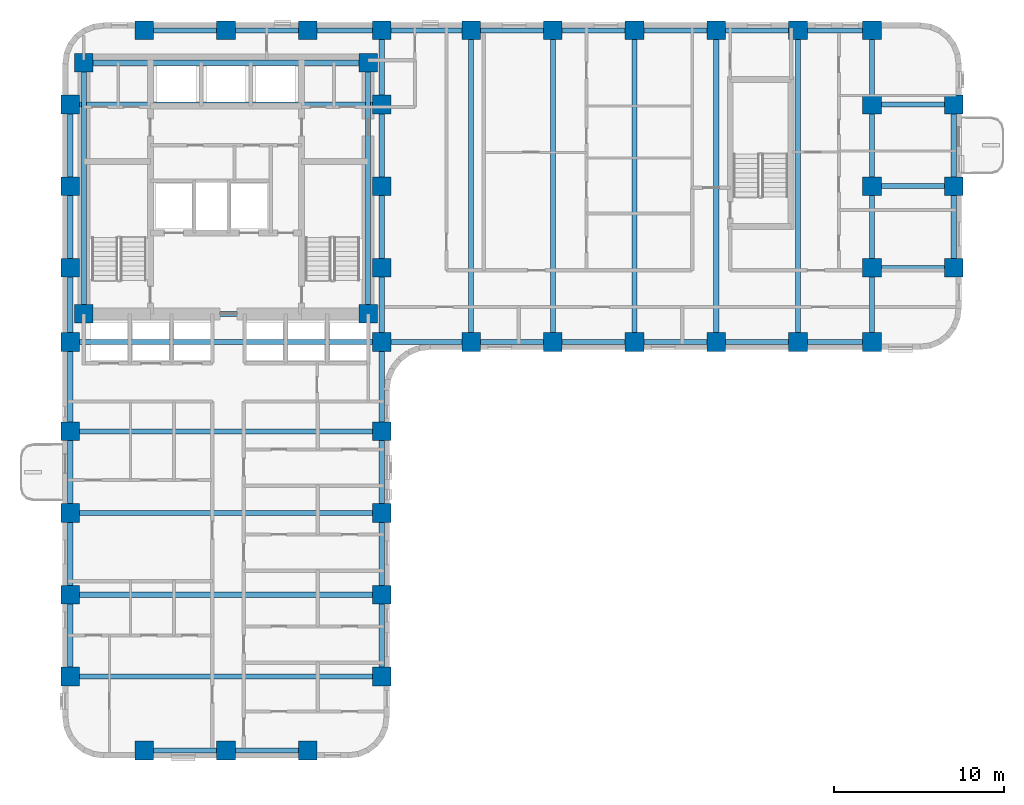
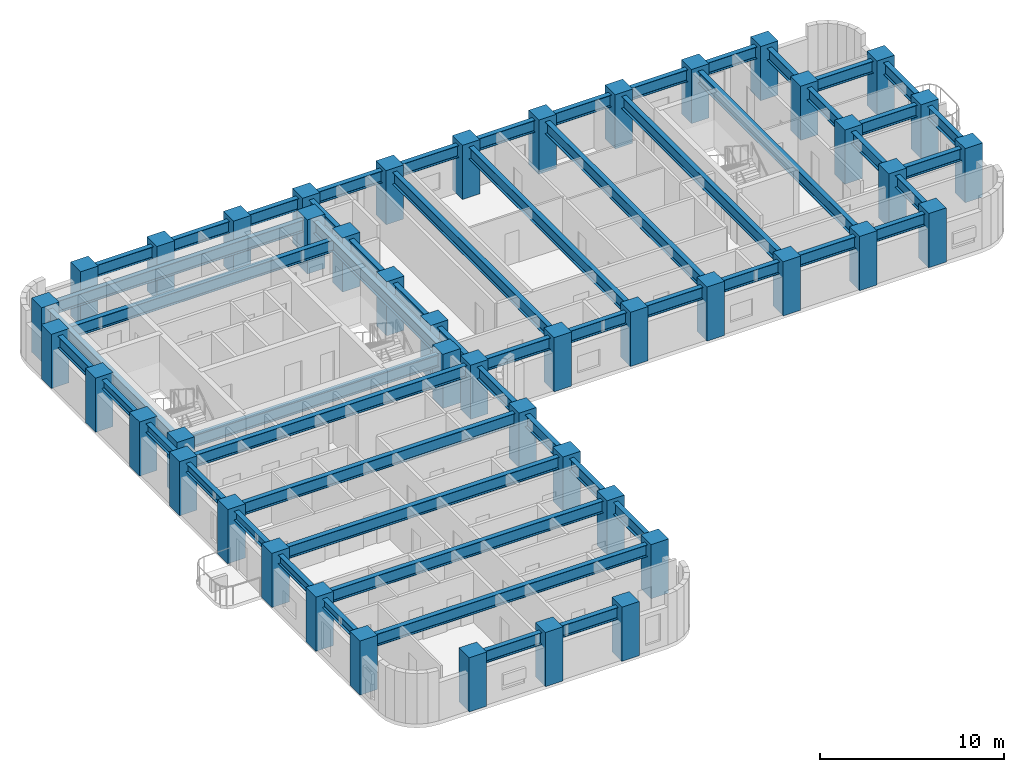
# One storey, part 1 of 11: 56 beams, 45 columns.
"""IFC4 building model written with IfcOpenShell, lengths in metres."""

from ifc_helpers import new_model, si_unit, direction, frame, origin, origin_2d, place, context, subcontext, project, spatial, rectangle, i_section, extrude, material, material_profile, profile_set, type_object, element, save


model = new_model("IFC4")

# Units and contexts
model_context = context("Model", 3, precision=1e-05, world=origin(), true_north=direction((0.0, 1.0)))
body_context = subcontext(model_context, "Body", "Model", "MODEL_VIEW")
ifc_project = project(units=[si_unit("LENGTHUNIT", "METRE"), si_unit("AREAUNIT", "SQUARE_METRE"), si_unit("VOLUMEUNIT", "CUBIC_METRE"), si_unit("PLANEANGLEUNIT", "RADIAN"), si_unit("MASSUNIT", "GRAM", prefix="KILO")], contexts=[model_context])

# Site, building, storey
site_placement = place(None, origin())
site = spatial("IfcSite", under=ifc_project, at=site_placement, CompositionType="ELEMENT")
building_placement = place(site_placement, origin())
building = spatial("IfcBuilding", under=site, at=building_placement, Name="Orvandelia Arch Residences", CompositionType="ELEMENT")
storey_placement = place(building_placement, frame((0.0, 0.0, 61.0)))
storey = spatial("IfcBuildingStorey", under=building, at=storey_placement, Name="L15", CompositionType="ELEMENT", Elevation=61.0)

# Columns
ifc_material_1 = material(Name="Concrete C80/95", Category="concrete")
ifc_material_profile_1 = material_profile(ifc_material_1, rectangle(XDim=1.10009765625, YDim=1.10009765625, at=origin_2d()), Name="Concrete C80/95", Category="concrete")
ifc_profile_set_1 = profile_set([ifc_material_profile_1], Name="Concrete C80/95")
column_type = type_object("IfcColumnType", Name="COL-TWR-1100", PredefinedType="COLUMN", material=ifc_profile_set_1)
for number, where, z_axis, x_axis, name in (
    (1, (5.25, 9.60009765625, 0.0), (0.0, 0.0, 1.0), (1.0, 0.0, 0.0), "Structural Column L15-W-W-96"),
    (2, (5.25, 14.39990234375, 0.0), (0.0, 0.0, 1.0), (1.0, 0.0, 0.0), "Structural Column L15-W-W-144"),
    (3, (5.25, 19.199951171875, 0.0), (0.0, 0.0, 1.0), (1.0, 0.0, 0.0), "Structural Column L15-W-W-192"),
    (4, (5.25, 24.0, 0.0), (0.0, 0.0, 1.0), (1.0, 0.0, 0.0), "Structural Column L15-W-W-240"),
    (5, (5.25, 29.25, 0.0), (0.0, 0.0, 1.0), (1.0, 0.0, 0.0), "Structural Column L15-W-W-292"),
    (6, (5.25, 33.60009765625, 0.0), (0.0, 0.0, 1.0), (1.0, 0.0, 0.0), "Structural Column L15-W-W-336"),
    (7, (5.25, 38.39990234375, 0.0), (0.0, 0.0, 1.0), (1.0, 0.0, 0.0), "Structural Column L15-W-W-384"),
    (8, (5.25, 43.199951171875, 0.0), (0.0, 0.0, 1.0), (1.0, 0.0, 0.0), "Structural Column L15-W-W-432"),
    (9, (6.050048828125, 30.89990234375, 0.0), (0.0, 0.0, 1.0), (1.0, 0.0, 0.0), "Structural Column L15-CR-SW"),
    (10, (6.050048828125, 45.64990234375, 0.0), (0.0, 0.0, 1.0), (1.0, 0.0, 0.0), "Structural Column L15-CR-NW"),
    (11, (9.60009765625, 5.25, 0.0), (0.0, 0.0, 1.0), (1.0, 0.0, 0.0), "Structural Column L15-W-S-96"),
    (12, (9.60009765625, 47.550048828125, 0.0), (0.0, 0.0, 1.0), (1.0, 0.0, 0.0), "Structural Column L15-W-N-96"),
    (13, (14.39990234375, 5.25, 0.0), (0.0, 0.0, 1.0), (1.0, 0.0, 0.0), "Structural Column L15-W-S-144"),
    (14, (14.39990234375, 47.550048828125, 0.0), (0.0, 0.0, 1.0), (1.0, 0.0, 0.0), "Structural Column L15-W-N-144"),
    (15, (19.199951171875, 5.25, 0.0), (0.0, 0.0, 1.0), (1.0, 0.0, 0.0), "Structural Column L15-W-S-192"),
    (16, (19.199951171875, 47.550048828125, 0.0), (0.0, 0.0, 1.0), (1.0, 0.0, 0.0), "Structural Column L15-W-N-192"),
    (17, (22.75, 30.89990234375, 0.0), (0.0, 0.0, 1.0), (1.0, 0.0, 0.0), "Structural Column L15-CR-SE"),
    (18, (22.75, 45.64990234375, 0.0), (0.0, 0.0, 1.0), (1.0, 0.0, 0.0), "Structural Column L15-CR-NE"),
    (19, (23.550048828125, 9.60009765625, 0.0), (0.0, 0.0, 1.0), (1.0, 0.0, 0.0), "Structural Column L15-W-E-96"),
    (20, (23.550048828125, 14.39990234375, 0.0), (0.0, 0.0, 1.0), (1.0, 0.0, 0.0), "Structural Column L15-W-E-144"),
    (21, (23.550048828125, 19.199951171875, 0.0), (0.0, 0.0, 1.0), (1.0, 0.0, 0.0), "Structural Column L15-W-E-192"),
    (22, (23.550048828125, 24.0, 0.0), (0.0, 0.0, 1.0), (1.0, 0.0, 0.0), "Structural Column L15-W-E-240"),
    (23, (23.550048828125, 29.25, 0.0), (0.0, 0.0, 1.0), (1.0, 0.0, 0.0), "Structural Column L15-W-E-292"),
    (24, (23.550048828125, 33.60009765625, 0.0), (0.0, 0.0, 1.0), (1.0, 0.0, 0.0), "Structural Column L15-W-E-336"),
    (25, (23.550048828125, 38.39990234375, 0.0), (0.0, 0.0, 1.0), (1.0, 0.0, 0.0), "Structural Column L15-W-E-384"),
    (26, (23.550048828125, 43.199951171875, 0.0), (0.0, 0.0, 1.0), (1.0, 0.0, 0.0), "Structural Column L15-W-E-432"),
    (27, (23.550048828125, 47.550048828125, 0.0), (0.0, 0.0, 1.0), (1.0, 0.0, 0.0), "Structural Column L15-W-N-235"),
    (28, (28.800048828125, 29.25, 0.0), (0.0, 0.0, 1.0), (1.0, 0.0, 0.0), "Structural Column L15-E-S-288"),
    (29, (28.800048828125, 47.550048828125, 0.0), (0.0, 0.0, 1.0), (1.0, 0.0, 0.0), "Structural Column L15-E-N-288"),
    (30, (33.60009765625, 29.25, 0.0), (0.0, 0.0, 1.0), (1.0, 0.0, 0.0), "Structural Column L15-E-S-336"),
    (31, (33.60009765625, 47.550048828125, 0.0), (0.0, 0.0, 1.0), (1.0, 0.0, 0.0), "Structural Column L15-E-N-336"),
    (32, (38.39990234375, 29.25, 0.0), (0.0, 0.0, 1.0), (1.0, 0.0, 0.0), "Structural Column L15-E-S-384"),
    (33, (38.39990234375, 47.550048828125, 0.0), (0.0, 0.0, 1.0), (1.0, 0.0, 0.0), "Structural Column L15-E-N-384"),
    (34, (43.199951171875, 29.25, 0.0), (0.0, 0.0, 1.0), (1.0, 0.0, 0.0), "Structural Column L15-E-S-432"),
    (35, (43.199951171875, 47.550048828125, 0.0), (0.0, 0.0, 1.0), (1.0, 0.0, 0.0), "Structural Column L15-E-N-432"),
    (36, (48.0, 29.25, 0.0), (0.0, 0.0, 1.0), (1.0, 0.0, 0.0), "Structural Column L15-E-S-480"),
    (37, (48.0, 47.550048828125, 0.0), (0.0, 0.0, 1.0), (1.0, 0.0, 0.0), "Structural Column L15-E-N-480"),
    (38, (52.35009765625, 29.25, 0.0), (0.0, 0.0, 1.0), (1.0, 0.0, 0.0), "Structural Column L15-E-S-523"),
    (39, (52.35009765625, 33.60009765625, 0.0), (0.0, 0.0, 1.0), (1.0, 0.0, 0.0), "Structural Column L15-E-523-336"),
    (40, (52.35009765625, 38.39990234375, 0.0), (0.0, 0.0, 1.0), (1.0, 0.0, 0.0), "Structural Column L15-E-523-384"),
    (41, (52.35009765625, 43.199951171875, 0.0), (0.0, 0.0, 1.0), (1.0, 0.0, 0.0), "Structural Column L15-E-523-432"),
    (42, (52.35009765625, 47.550048828125, 0.0), (0.0, 0.0, 1.0), (1.0, 0.0, 0.0), "Structural Column L15-E-N-523"),
    (43, (57.14990234375, 33.60009765625, 0.0), (0.0, 0.0, 1.0), (1.0, 0.0, 0.0), "Structural Column L15-E-571-336"),
    (44, (57.14990234375, 38.39990234375, 0.0), (0.0, 0.0, 1.0), (1.0, 0.0, 0.0), "Structural Column L15-E-571-384"),
    (45, (57.14990234375, 43.199951171875, 0.0), (0.0, 0.0, 1.0), (1.0, 0.0, 0.0), "Structural Column L15-E-571-432"),
):
    element("IfcColumn", number, at=place(storey_placement, frame(where, z_axis=z_axis, x_axis=x_axis)), inside=storey, type_object=column_type, Name=name, PredefinedType="COLUMN", context=body_context, shape_type="SweptSolid", body=[
        extrude(rectangle(XDim=1.10009765625, YDim=1.10009765625, at=origin_2d()), origin(), (0.0, 0.0, 1.0), 3.60009765625),
    ])

# Beams
ifc_material_2 = material(Name="Structural Steel SM355 (355 MPa)", Category="steel")
ifc_material_profile_2 = material_profile(ifc_material_2, i_section(OverallWidth=0.300048828125, OverallDepth=0.800048828125, WebThickness=0.013916015625, FlangeThickness=0.02587890625, FilletRadius=0.02587890625, at=origin_2d()), Name="Structural Steel SM355 (355 MPa)", Category="steel")
ifc_profile_set_2 = profile_set([ifc_material_profile_2], Name="Structural Steel SM355 (355 MPa)")
beam_type_1 = type_object("IfcBeamType", Name="BM-GRD-H800", PredefinedType="BEAM", material=ifc_profile_set_2)
beam_1_placement = place(storey_placement, frame((5.25, 38.39990234375, 2.949951171875), z_axis=(0.0, 1.0, 0.0), x_axis=(-1.0, 0.0, 0.0)))
element("IfcBeam", 46, at=beam_1_placement, inside=storey, type_object=beam_type_1, Name="Structural Frame Beam L15-NS-007", PredefinedType="BEAM", context=body_context, shape_type="SweptSolid", body=[
    extrude(i_section(OverallWidth=0.300048828125, OverallDepth=0.800048828125, WebThickness=0.013916015625, FlangeThickness=0.02587890625, FilletRadius=0.02587890625, at=origin_2d()), origin(), (0.0, 0.0, 1.0), 4.800048828125),
])
for number, where, z_axis, x_axis, name in (
    (47, (6.050048828125, 30.89990234375, 2.949951171875), (0.0, 1.0, 0.0), (-1.0, 0.0, 0.0), "Structural Frame Beam L15-NS-008"),
    (48, (22.75, 30.89990234375, 2.949951171875), (0.0, 1.0, 0.0), (-1.0, 0.0, 0.0), "Structural Frame Beam L15-NS-009"),
):
    element("IfcBeam", number, at=place(storey_placement, frame(where, z_axis=z_axis, x_axis=x_axis)), inside=storey, type_object=beam_type_1, Name=name, PredefinedType="BEAM", context=body_context, shape_type="SweptSolid", body=[
        extrude(i_section(OverallWidth=0.300048828125, OverallDepth=0.800048828125, WebThickness=0.013916015625, FlangeThickness=0.02587890625, FilletRadius=0.02587890625, at=origin_2d()), origin(), (0.0, 0.0, 1.0), 14.75),
    ])
beam_2_placement = place(storey_placement, frame((23.550048828125, 9.60009765625, 2.949951171875), z_axis=(0.0, 1.0, 0.0), x_axis=(-1.0, 0.0, 0.0)))
element("IfcBeam", 49, at=beam_2_placement, inside=storey, type_object=beam_type_1, Name="Structural Frame Beam L15-NS-010", PredefinedType="BEAM", context=body_context, shape_type="SweptSolid", body=[
    extrude(i_section(OverallWidth=0.300048828125, OverallDepth=0.800048828125, WebThickness=0.013916015625, FlangeThickness=0.02587890625, FilletRadius=0.02587890625, at=origin_2d()), origin(), (0.0, 0.0, 1.0), 4.7998046875),
])
for number, where, z_axis, x_axis, name in (
    (50, (23.550048828125, 14.39990234375, 2.949951171875), (0.0, 1.0, 0.0), (-1.0, 0.0, 0.0), "Structural Frame Beam L15-NS-011"),
    (51, (23.550048828125, 19.199951171875, 2.949951171875), (0.0, 1.0, 0.0), (-1.0, 0.0, 0.0), "Structural Frame Beam L15-NS-012"),
):
    element("IfcBeam", number, at=place(storey_placement, frame(where, z_axis=z_axis, x_axis=x_axis)), inside=storey, type_object=beam_type_1, Name=name, PredefinedType="BEAM", context=body_context, shape_type="SweptSolid", body=[
        extrude(i_section(OverallWidth=0.300048828125, OverallDepth=0.800048828125, WebThickness=0.013916015625, FlangeThickness=0.02587890625, FilletRadius=0.02587890625, at=origin_2d()), origin(), (0.0, 0.0, 1.0), 4.800048828125),
    ])
beam_3_placement = place(storey_placement, frame((23.550048828125, 24.0, 2.949951171875), z_axis=(0.0, 1.0, 0.0), x_axis=(-1.0, 0.0, 0.0)))
element("IfcBeam", 52, at=beam_3_placement, inside=storey, type_object=beam_type_1, Name="Structural Frame Beam L15-NS-013", PredefinedType="BEAM", context=body_context, shape_type="SweptSolid", body=[
    extrude(i_section(OverallWidth=0.300048828125, OverallDepth=0.800048828125, WebThickness=0.013916015625, FlangeThickness=0.02587890625, FilletRadius=0.02587890625, at=origin_2d()), origin(), (0.0, 0.0, 1.0), 5.25),
])
beam_4_placement = place(storey_placement, frame((23.550048828125, 29.25, 2.949951171875), z_axis=(0.0, 1.0, 0.0), x_axis=(-1.0, 0.0, 0.0)))
element("IfcBeam", 53, at=beam_4_placement, inside=storey, type_object=beam_type_1, Name="Structural Frame Beam L15-NS-014", PredefinedType="BEAM", context=body_context, shape_type="SweptSolid", body=[
    extrude(i_section(OverallWidth=0.300048828125, OverallDepth=0.800048828125, WebThickness=0.013916015625, FlangeThickness=0.02587890625, FilletRadius=0.02587890625, at=origin_2d()), origin(), (0.0, 0.0, 1.0), 4.35009765625),
])
beam_5_placement = place(storey_placement, frame((23.550048828125, 33.60009765625, 2.949951171875), z_axis=(0.0, 1.0, 0.0), x_axis=(-1.0, 0.0, 0.0)))
element("IfcBeam", 54, at=beam_5_placement, inside=storey, type_object=beam_type_1, Name="Structural Frame Beam L15-NS-015", PredefinedType="BEAM", context=body_context, shape_type="SweptSolid", body=[
    extrude(i_section(OverallWidth=0.300048828125, OverallDepth=0.800048828125, WebThickness=0.013916015625, FlangeThickness=0.02587890625, FilletRadius=0.02587890625, at=origin_2d()), origin(), (0.0, 0.0, 1.0), 4.7998046875),
])
beam_6_placement = place(storey_placement, frame((23.550048828125, 38.39990234375, 2.949951171875), z_axis=(0.0, 1.0, 0.0), x_axis=(-1.0, 0.0, 0.0)))
element("IfcBeam", 55, at=beam_6_placement, inside=storey, type_object=beam_type_1, Name="Structural Frame Beam L15-NS-016", PredefinedType="BEAM", context=body_context, shape_type="SweptSolid", body=[
    extrude(i_section(OverallWidth=0.300048828125, OverallDepth=0.800048828125, WebThickness=0.013916015625, FlangeThickness=0.02587890625, FilletRadius=0.02587890625, at=origin_2d()), origin(), (0.0, 0.0, 1.0), 4.800048828125),
])
beam_7_placement = place(storey_placement, frame((23.550048828125, 43.199951171875, 2.949951171875), z_axis=(0.0, 1.0, 0.0), x_axis=(-1.0, 0.0, 0.0)))
element("IfcBeam", 56, at=beam_7_placement, inside=storey, type_object=beam_type_1, Name="Structural Frame Beam L15-NS-017", PredefinedType="BEAM", context=body_context, shape_type="SweptSolid", body=[
    extrude(i_section(OverallWidth=0.300048828125, OverallDepth=0.800048828125, WebThickness=0.013916015625, FlangeThickness=0.02587890625, FilletRadius=0.02587890625, at=origin_2d()), origin(), (0.0, 0.0, 1.0), 4.35009765625),
])
for number, where, z_axis, x_axis, name in (
    (57, (28.800048828125, 29.25, 2.949951171875), (0.0, 1.0, 0.0), (-1.0, 0.0, 0.0), "Structural Frame Beam L15-NS-018"),
    (58, (33.60009765625, 29.25, 2.949951171875), (0.0, 1.0, 0.0), (-1.0, 0.0, 0.0), "Structural Frame Beam L15-NS-019"),
    (59, (38.39990234375, 29.25, 2.949951171875), (0.0, 1.0, 0.0), (-1.0, 0.0, 0.0), "Structural Frame Beam L15-NS-020"),
    (60, (43.199951171875, 29.25, 2.949951171875), (0.0, 1.0, 0.0), (-1.0, 0.0, 0.0), "Structural Frame Beam L15-NS-021"),
    (61, (48.0, 29.25, 2.949951171875), (0.0, 1.0, 0.0), (-1.0, 0.0, 0.0), "Structural Frame Beam L15-NS-022"),
):
    element("IfcBeam", number, at=place(storey_placement, frame(where, z_axis=z_axis, x_axis=x_axis)), inside=storey, type_object=beam_type_1, Name=name, PredefinedType="BEAM", context=body_context, shape_type="SweptSolid", body=[
        extrude(i_section(OverallWidth=0.300048828125, OverallDepth=0.800048828125, WebThickness=0.013916015625, FlangeThickness=0.02587890625, FilletRadius=0.02587890625, at=origin_2d()), origin(), (0.0, 0.0, 1.0), 18.300048828125),
    ])
beam_8_placement = place(storey_placement, frame((52.35009765625, 29.25, 2.949951171875), z_axis=(0.0, 1.0, 0.0), x_axis=(-1.0, 0.0, 0.0)))
element("IfcBeam", 62, at=beam_8_placement, inside=storey, type_object=beam_type_1, Name="Structural Frame Beam L15-NS-023", PredefinedType="BEAM", context=body_context, shape_type="SweptSolid", body=[
    extrude(i_section(OverallWidth=0.300048828125, OverallDepth=0.800048828125, WebThickness=0.013916015625, FlangeThickness=0.02587890625, FilletRadius=0.02587890625, at=origin_2d()), origin(), (0.0, 0.0, 1.0), 4.35009765625),
])
beam_9_placement = place(storey_placement, frame((52.35009765625, 33.60009765625, 2.949951171875), z_axis=(0.0, 1.0, 0.0), x_axis=(-1.0, 0.0, 0.0)))
element("IfcBeam", 63, at=beam_9_placement, inside=storey, type_object=beam_type_1, Name="Structural Frame Beam L15-NS-024", PredefinedType="BEAM", context=body_context, shape_type="SweptSolid", body=[
    extrude(i_section(OverallWidth=0.300048828125, OverallDepth=0.800048828125, WebThickness=0.013916015625, FlangeThickness=0.02587890625, FilletRadius=0.02587890625, at=origin_2d()), origin(), (0.0, 0.0, 1.0), 4.7998046875),
])
beam_10_placement = place(storey_placement, frame((52.35009765625, 38.39990234375, 2.949951171875), z_axis=(0.0, 1.0, 0.0), x_axis=(-1.0, 0.0, 0.0)))
element("IfcBeam", 64, at=beam_10_placement, inside=storey, type_object=beam_type_1, Name="Structural Frame Beam L15-NS-025", PredefinedType="BEAM", context=body_context, shape_type="SweptSolid", body=[
    extrude(i_section(OverallWidth=0.300048828125, OverallDepth=0.800048828125, WebThickness=0.013916015625, FlangeThickness=0.02587890625, FilletRadius=0.02587890625, at=origin_2d()), origin(), (0.0, 0.0, 1.0), 4.800048828125),
])
beam_11_placement = place(storey_placement, frame((52.35009765625, 43.199951171875, 2.949951171875), z_axis=(0.0, 1.0, 0.0), x_axis=(-1.0, 0.0, 0.0)))
element("IfcBeam", 65, at=beam_11_placement, inside=storey, type_object=beam_type_1, Name="Structural Frame Beam L15-NS-026", PredefinedType="BEAM", context=body_context, shape_type="SweptSolid", body=[
    extrude(i_section(OverallWidth=0.300048828125, OverallDepth=0.800048828125, WebThickness=0.013916015625, FlangeThickness=0.02587890625, FilletRadius=0.02587890625, at=origin_2d()), origin(), (0.0, 0.0, 1.0), 4.35009765625),
])
beam_12_placement = place(storey_placement, frame((57.14990234375, 33.60009765625, 2.949951171875), z_axis=(0.0, 1.0, 0.0), x_axis=(-1.0, 0.0, 0.0)))
element("IfcBeam", 66, at=beam_12_placement, inside=storey, type_object=beam_type_1, Name="Structural Frame Beam L15-NS-027", PredefinedType="BEAM", context=body_context, shape_type="SweptSolid", body=[
    extrude(i_section(OverallWidth=0.300048828125, OverallDepth=0.800048828125, WebThickness=0.013916015625, FlangeThickness=0.02587890625, FilletRadius=0.02587890625, at=origin_2d()), origin(), (0.0, 0.0, 1.0), 4.7998046875),
])
beam_13_placement = place(storey_placement, frame((57.14990234375, 38.39990234375, 2.949951171875), z_axis=(0.0, 1.0, 0.0), x_axis=(-1.0, 0.0, 0.0)))
element("IfcBeam", 67, at=beam_13_placement, inside=storey, type_object=beam_type_1, Name="Structural Frame Beam L15-NS-028", PredefinedType="BEAM", context=body_context, shape_type="SweptSolid", body=[
    extrude(i_section(OverallWidth=0.300048828125, OverallDepth=0.800048828125, WebThickness=0.013916015625, FlangeThickness=0.02587890625, FilletRadius=0.02587890625, at=origin_2d()), origin(), (0.0, 0.0, 1.0), 4.800048828125),
])
beam_14_placement = place(storey_placement, frame((9.60009765625, 5.25, 2.949951171875), z_axis=(1.0, 0.0, 0.0), x_axis=(0.0, 1.0, 0.0)))
element("IfcBeam", 68, at=beam_14_placement, inside=storey, type_object=beam_type_1, Name="Structural Frame Girder L15-EW-029", PredefinedType="BEAM", context=body_context, shape_type="SweptSolid", body=[
    extrude(i_section(OverallWidth=0.300048828125, OverallDepth=0.800048828125, WebThickness=0.013916015625, FlangeThickness=0.02587890625, FilletRadius=0.02587890625, at=origin_2d()), origin(), (0.0, 0.0, 1.0), 4.7998046875),
])
beam_15_placement = place(storey_placement, frame((14.39990234375, 5.25, 2.949951171875), z_axis=(1.0, 0.0, 0.0), x_axis=(0.0, 1.0, 0.0)))
element("IfcBeam", 69, at=beam_15_placement, inside=storey, type_object=beam_type_1, Name="Structural Frame Girder L15-EW-030", PredefinedType="BEAM", context=body_context, shape_type="SweptSolid", body=[
    extrude(i_section(OverallWidth=0.300048828125, OverallDepth=0.800048828125, WebThickness=0.013916015625, FlangeThickness=0.02587890625, FilletRadius=0.02587890625, at=origin_2d()), origin(), (0.0, 0.0, 1.0), 4.800048828125),
])
for number, where, z_axis, x_axis, name in (
    (70, (5.25, 9.60009765625, 2.949951171875), (1.0, 0.0, 0.0), (0.0, 1.0, 0.0), "Structural Frame Girder L15-EW-031"),
    (71, (5.25, 14.39990234375, 2.949951171875), (1.0, 0.0, 0.0), (0.0, 1.0, 0.0), "Structural Frame Girder L15-EW-032"),
    (72, (5.25, 19.199951171875, 2.949951171875), (1.0, 0.0, 0.0), (0.0, 1.0, 0.0), "Structural Frame Girder L15-EW-033"),
    (73, (5.25, 24.0, 2.949951171875), (1.0, 0.0, 0.0), (0.0, 1.0, 0.0), "Structural Frame Girder L15-EW-034"),
    (74, (5.25, 29.25, 2.949951171875), (1.0, 0.0, 0.0), (0.0, 1.0, 0.0), "Structural Frame Girder L15-EW-035"),
):
    element("IfcBeam", number, at=place(storey_placement, frame(where, z_axis=z_axis, x_axis=x_axis)), inside=storey, type_object=beam_type_1, Name=name, PredefinedType="BEAM", context=body_context, shape_type="SweptSolid", body=[
        extrude(i_section(OverallWidth=0.300048828125, OverallDepth=0.800048828125, WebThickness=0.013916015625, FlangeThickness=0.02587890625, FilletRadius=0.02587890625, at=origin_2d()), origin(), (0.0, 0.0, 1.0), 18.300048828125),
    ])
beam_16_placement = place(storey_placement, frame((23.550048828125, 29.25, 2.949951171875), z_axis=(1.0, 0.0, 0.0), x_axis=(0.0, 1.0, 0.0)))
element("IfcBeam", 75, at=beam_16_placement, inside=storey, type_object=beam_type_1, Name="Structural Frame Girder L15-EW-036", PredefinedType="BEAM", context=body_context, shape_type="SweptSolid", body=[
    extrude(i_section(OverallWidth=0.300048828125, OverallDepth=0.800048828125, WebThickness=0.013916015625, FlangeThickness=0.02587890625, FilletRadius=0.02587890625, at=origin_2d()), origin(), (0.0, 0.0, 1.0), 5.25),
])
beam_17_placement = place(storey_placement, frame((28.800048828125, 29.25, 2.949951171875), z_axis=(1.0, 0.0, 0.0), x_axis=(0.0, 1.0, 0.0)))
element("IfcBeam", 76, at=beam_17_placement, inside=storey, type_object=beam_type_1, Name="Structural Frame Girder L15-EW-037", PredefinedType="BEAM", context=body_context, shape_type="SweptSolid", body=[
    extrude(i_section(OverallWidth=0.300048828125, OverallDepth=0.800048828125, WebThickness=0.013916015625, FlangeThickness=0.02587890625, FilletRadius=0.02587890625, at=origin_2d()), origin(), (0.0, 0.0, 1.0), 4.800048828125),
])
beam_18_placement = place(storey_placement, frame((33.60009765625, 29.25, 2.949951171875), z_axis=(1.0, 0.0, 0.0), x_axis=(0.0, 1.0, 0.0)))
element("IfcBeam", 77, at=beam_18_placement, inside=storey, type_object=beam_type_1, Name="Structural Frame Girder L15-EW-038", PredefinedType="BEAM", context=body_context, shape_type="SweptSolid", body=[
    extrude(i_section(OverallWidth=0.300048828125, OverallDepth=0.800048828125, WebThickness=0.013916015625, FlangeThickness=0.02587890625, FilletRadius=0.02587890625, at=origin_2d()), origin(), (0.0, 0.0, 1.0), 4.7998046875),
])
for number, where, z_axis, x_axis, name in (
    (78, (38.39990234375, 29.25, 2.949951171875), (1.0, 0.0, 0.0), (0.0, 1.0, 0.0), "Structural Frame Girder L15-EW-039"),
    (79, (43.199951171875, 29.25, 2.949951171875), (1.0, 0.0, 0.0), (0.0, 1.0, 0.0), "Structural Frame Girder L15-EW-040"),
):
    element("IfcBeam", number, at=place(storey_placement, frame(where, z_axis=z_axis, x_axis=x_axis)), inside=storey, type_object=beam_type_1, Name=name, PredefinedType="BEAM", context=body_context, shape_type="SweptSolid", body=[
        extrude(i_section(OverallWidth=0.300048828125, OverallDepth=0.800048828125, WebThickness=0.013916015625, FlangeThickness=0.02587890625, FilletRadius=0.02587890625, at=origin_2d()), origin(), (0.0, 0.0, 1.0), 4.800048828125),
    ])
beam_19_placement = place(storey_placement, frame((48.0, 29.25, 2.949951171875), z_axis=(1.0, 0.0, 0.0), x_axis=(0.0, 1.0, 0.0)))
element("IfcBeam", 80, at=beam_19_placement, inside=storey, type_object=beam_type_1, Name="Structural Frame Girder L15-EW-041", PredefinedType="BEAM", context=body_context, shape_type="SweptSolid", body=[
    extrude(i_section(OverallWidth=0.300048828125, OverallDepth=0.800048828125, WebThickness=0.013916015625, FlangeThickness=0.02587890625, FilletRadius=0.02587890625, at=origin_2d()), origin(), (0.0, 0.0, 1.0), 4.35009765625),
])
beam_20_placement = place(storey_placement, frame((6.050048828125, 30.89990234375, 2.949951171875), z_axis=(1.0, 0.0, 0.0), x_axis=(0.0, 1.0, 0.0)))
element("IfcBeam", 81, at=beam_20_placement, inside=storey, type_object=beam_type_1, Name="Structural Frame Girder L15-EW-042", PredefinedType="BEAM", context=body_context, shape_type="SweptSolid", body=[
    extrude(i_section(OverallWidth=0.300048828125, OverallDepth=0.800048828125, WebThickness=0.013916015625, FlangeThickness=0.02587890625, FilletRadius=0.02587890625, at=origin_2d()), origin(), (0.0, 0.0, 1.0), 16.699951171875),
])
for number, where, z_axis, x_axis, name in (
    (82, (52.35009765625, 33.60009765625, 2.949951171875), (1.0, 0.0, 0.0), (0.0, 1.0, 0.0), "Structural Frame Girder L15-EW-044"),
    (83, (52.35009765625, 38.39990234375, 2.949951171875), (1.0, 0.0, 0.0), (0.0, 1.0, 0.0), "Structural Frame Girder L15-EW-046"),
):
    element("IfcBeam", number, at=place(storey_placement, frame(where, z_axis=z_axis, x_axis=x_axis)), inside=storey, type_object=beam_type_1, Name=name, PredefinedType="BEAM", context=body_context, shape_type="SweptSolid", body=[
        extrude(i_section(OverallWidth=0.300048828125, OverallDepth=0.800048828125, WebThickness=0.013916015625, FlangeThickness=0.02587890625, FilletRadius=0.02587890625, at=origin_2d()), origin(), (0.0, 0.0, 1.0), 4.7998046875),
    ])
beam_21_placement = place(storey_placement, frame((5.25, 43.199951171875, 2.949951171875), z_axis=(1.0, 0.0, 0.0), x_axis=(0.0, 1.0, 0.0)))
element("IfcBeam", 84, at=beam_21_placement, inside=storey, type_object=beam_type_1, Name="Structural Frame Girder L15-EW-047", PredefinedType="BEAM", context=body_context, shape_type="SweptSolid", body=[
    extrude(i_section(OverallWidth=0.300048828125, OverallDepth=0.800048828125, WebThickness=0.013916015625, FlangeThickness=0.02587890625, FilletRadius=0.02587890625, at=origin_2d()), origin(), (0.0, 0.0, 1.0), 18.300048828125),
])
beam_22_placement = place(storey_placement, frame((52.35009765625, 43.199951171875, 2.949951171875), z_axis=(1.0, 0.0, 0.0), x_axis=(0.0, 1.0, 0.0)))
element("IfcBeam", 85, at=beam_22_placement, inside=storey, type_object=beam_type_1, Name="Structural Frame Girder L15-EW-048", PredefinedType="BEAM", context=body_context, shape_type="SweptSolid", body=[
    extrude(i_section(OverallWidth=0.300048828125, OverallDepth=0.800048828125, WebThickness=0.013916015625, FlangeThickness=0.02587890625, FilletRadius=0.02587890625, at=origin_2d()), origin(), (0.0, 0.0, 1.0), 4.7998046875),
])
beam_23_placement = place(storey_placement, frame((6.050048828125, 45.64990234375, 2.949951171875), z_axis=(1.0, 0.0, 0.0), x_axis=(0.0, 1.0, 0.0)))
element("IfcBeam", 86, at=beam_23_placement, inside=storey, type_object=beam_type_1, Name="Structural Frame Girder L15-EW-049", PredefinedType="BEAM", context=body_context, shape_type="SweptSolid", body=[
    extrude(i_section(OverallWidth=0.300048828125, OverallDepth=0.800048828125, WebThickness=0.013916015625, FlangeThickness=0.02587890625, FilletRadius=0.02587890625, at=origin_2d()), origin(), (0.0, 0.0, 1.0), 16.699951171875),
])
beam_24_placement = place(storey_placement, frame((9.60009765625, 47.550048828125, 2.949951171875), z_axis=(1.0, 0.0, 0.0), x_axis=(0.0, 1.0, 0.0)))
element("IfcBeam", 87, at=beam_24_placement, inside=storey, type_object=beam_type_1, Name="Structural Frame Girder L15-EW-050", PredefinedType="BEAM", context=body_context, shape_type="SweptSolid", body=[
    extrude(i_section(OverallWidth=0.300048828125, OverallDepth=0.800048828125, WebThickness=0.013916015625, FlangeThickness=0.02587890625, FilletRadius=0.02587890625, at=origin_2d()), origin(), (0.0, 0.0, 1.0), 4.7998046875),
])
beam_25_placement = place(storey_placement, frame((14.39990234375, 47.550048828125, 2.949951171875), z_axis=(1.0, 0.0, 0.0), x_axis=(0.0, 1.0, 0.0)))
element("IfcBeam", 88, at=beam_25_placement, inside=storey, type_object=beam_type_1, Name="Structural Frame Girder L15-EW-051", PredefinedType="BEAM", context=body_context, shape_type="SweptSolid", body=[
    extrude(i_section(OverallWidth=0.300048828125, OverallDepth=0.800048828125, WebThickness=0.013916015625, FlangeThickness=0.02587890625, FilletRadius=0.02587890625, at=origin_2d()), origin(), (0.0, 0.0, 1.0), 4.800048828125),
])
beam_26_placement = place(storey_placement, frame((19.199951171875, 47.550048828125, 2.949951171875), z_axis=(1.0, 0.0, 0.0), x_axis=(0.0, 1.0, 0.0)))
element("IfcBeam", 89, at=beam_26_placement, inside=storey, type_object=beam_type_1, Name="Structural Frame Girder L15-EW-052", PredefinedType="BEAM", context=body_context, shape_type="SweptSolid", body=[
    extrude(i_section(OverallWidth=0.300048828125, OverallDepth=0.800048828125, WebThickness=0.013916015625, FlangeThickness=0.02587890625, FilletRadius=0.02587890625, at=origin_2d()), origin(), (0.0, 0.0, 1.0), 4.35009765625),
])
beam_27_placement = place(storey_placement, frame((23.550048828125, 47.550048828125, 2.949951171875), z_axis=(1.0, 0.0, 0.0), x_axis=(0.0, 1.0, 0.0)))
element("IfcBeam", 90, at=beam_27_placement, inside=storey, type_object=beam_type_1, Name="Structural Frame Girder L15-EW-053", PredefinedType="BEAM", context=body_context, shape_type="SweptSolid", body=[
    extrude(i_section(OverallWidth=0.300048828125, OverallDepth=0.800048828125, WebThickness=0.013916015625, FlangeThickness=0.02587890625, FilletRadius=0.02587890625, at=origin_2d()), origin(), (0.0, 0.0, 1.0), 5.25),
])
beam_28_placement = place(storey_placement, frame((28.800048828125, 47.550048828125, 2.949951171875), z_axis=(1.0, 0.0, 0.0), x_axis=(0.0, 1.0, 0.0)))
element("IfcBeam", 91, at=beam_28_placement, inside=storey, type_object=beam_type_1, Name="Structural Frame Girder L15-EW-054", PredefinedType="BEAM", context=body_context, shape_type="SweptSolid", body=[
    extrude(i_section(OverallWidth=0.300048828125, OverallDepth=0.800048828125, WebThickness=0.013916015625, FlangeThickness=0.02587890625, FilletRadius=0.02587890625, at=origin_2d()), origin(), (0.0, 0.0, 1.0), 4.800048828125),
])
beam_29_placement = place(storey_placement, frame((33.60009765625, 47.550048828125, 2.949951171875), z_axis=(1.0, 0.0, 0.0), x_axis=(0.0, 1.0, 0.0)))
element("IfcBeam", 92, at=beam_29_placement, inside=storey, type_object=beam_type_1, Name="Structural Frame Girder L15-EW-055", PredefinedType="BEAM", context=body_context, shape_type="SweptSolid", body=[
    extrude(i_section(OverallWidth=0.300048828125, OverallDepth=0.800048828125, WebThickness=0.013916015625, FlangeThickness=0.02587890625, FilletRadius=0.02587890625, at=origin_2d()), origin(), (0.0, 0.0, 1.0), 4.7998046875),
])
for number, where, z_axis, x_axis, name in (
    (93, (38.39990234375, 47.550048828125, 2.949951171875), (1.0, 0.0, 0.0), (0.0, 1.0, 0.0), "Structural Frame Girder L15-EW-056"),
    (94, (43.199951171875, 47.550048828125, 2.949951171875), (1.0, 0.0, 0.0), (0.0, 1.0, 0.0), "Structural Frame Girder L15-EW-057"),
):
    element("IfcBeam", number, at=place(storey_placement, frame(where, z_axis=z_axis, x_axis=x_axis)), inside=storey, type_object=beam_type_1, Name=name, PredefinedType="BEAM", context=body_context, shape_type="SweptSolid", body=[
        extrude(i_section(OverallWidth=0.300048828125, OverallDepth=0.800048828125, WebThickness=0.013916015625, FlangeThickness=0.02587890625, FilletRadius=0.02587890625, at=origin_2d()), origin(), (0.0, 0.0, 1.0), 4.800048828125),
    ])
beam_30_placement = place(storey_placement, frame((48.0, 47.550048828125, 2.949951171875), z_axis=(1.0, 0.0, 0.0), x_axis=(0.0, 1.0, 0.0)))
element("IfcBeam", 95, at=beam_30_placement, inside=storey, type_object=beam_type_1, Name="Structural Frame Girder L15-EW-058", PredefinedType="BEAM", context=body_context, shape_type="SweptSolid", body=[
    extrude(i_section(OverallWidth=0.300048828125, OverallDepth=0.800048828125, WebThickness=0.013916015625, FlangeThickness=0.02587890625, FilletRadius=0.02587890625, at=origin_2d()), origin(), (0.0, 0.0, 1.0), 4.35009765625),
])
ifc_material_profile_3 = material_profile(ifc_material_2, i_section(OverallWidth=0.300048828125, OverallDepth=0.587890625, WebThickness=0.011962890625, FlangeThickness=0.02001953125, FilletRadius=0.02197265625, at=origin_2d()), Name="Structural Steel SM355 (355 MPa)", Category="steel")
ifc_profile_set_3 = profile_set([ifc_material_profile_3], Name="Structural Steel SM355 (355 MPa)")
beam_type_2 = type_object("IfcBeamType", Name="BM-SPN-H588", PredefinedType="SPANDREL", material=ifc_profile_set_3)
beam_31_placement = place(storey_placement, frame((5.25, 9.60009765625, 3.055908203125), z_axis=(0.0, 1.0, 0.0), x_axis=(-1.0, 0.0, 0.0)))
element("IfcBeam", 96, at=beam_31_placement, inside=storey, type_object=beam_type_2, Name="Structural Frame Beam L15-NS-001", PredefinedType="SPANDREL", context=body_context, shape_type="SweptSolid", body=[
    extrude(i_section(OverallWidth=0.300048828125, OverallDepth=0.587890625, WebThickness=0.011962890625, FlangeThickness=0.02001953125, FilletRadius=0.02197265625, at=origin_2d()), origin(), (0.0, 0.0, 1.0), 4.7998046875),
])
for number, where, z_axis, x_axis, name in (
    (97, (5.25, 14.39990234375, 3.055908203125), (0.0, 1.0, 0.0), (-1.0, 0.0, 0.0), "Structural Frame Beam L15-NS-002"),
    (98, (5.25, 19.199951171875, 3.055908203125), (0.0, 1.0, 0.0), (-1.0, 0.0, 0.0), "Structural Frame Beam L15-NS-003"),
):
    element("IfcBeam", number, at=place(storey_placement, frame(where, z_axis=z_axis, x_axis=x_axis)), inside=storey, type_object=beam_type_2, Name=name, PredefinedType="SPANDREL", context=body_context, shape_type="SweptSolid", body=[
        extrude(i_section(OverallWidth=0.300048828125, OverallDepth=0.587890625, WebThickness=0.011962890625, FlangeThickness=0.02001953125, FilletRadius=0.02197265625, at=origin_2d()), origin(), (0.0, 0.0, 1.0), 4.800048828125),
    ])
beam_32_placement = place(storey_placement, frame((5.25, 24.0, 3.055908203125), z_axis=(0.0, 1.0, 0.0), x_axis=(-1.0, 0.0, 0.0)))
element("IfcBeam", 99, at=beam_32_placement, inside=storey, type_object=beam_type_2, Name="Structural Frame Beam L15-NS-004", PredefinedType="SPANDREL", context=body_context, shape_type="SweptSolid", body=[
    extrude(i_section(OverallWidth=0.300048828125, OverallDepth=0.587890625, WebThickness=0.011962890625, FlangeThickness=0.02001953125, FilletRadius=0.02197265625, at=origin_2d()), origin(), (0.0, 0.0, 1.0), 5.25),
])
beam_33_placement = place(storey_placement, frame((5.25, 29.25, 3.055908203125), z_axis=(0.0, 1.0, 0.0), x_axis=(-1.0, 0.0, 0.0)))
element("IfcBeam", 100, at=beam_33_placement, inside=storey, type_object=beam_type_2, Name="Structural Frame Beam L15-NS-005", PredefinedType="SPANDREL", context=body_context, shape_type="SweptSolid", body=[
    extrude(i_section(OverallWidth=0.300048828125, OverallDepth=0.587890625, WebThickness=0.011962890625, FlangeThickness=0.02001953125, FilletRadius=0.02197265625, at=origin_2d()), origin(), (0.0, 0.0, 1.0), 4.35009765625),
])
beam_34_placement = place(storey_placement, frame((5.25, 33.60009765625, 3.055908203125), z_axis=(0.0, 1.0, 0.0), x_axis=(-1.0, 0.0, 0.0)))
element("IfcBeam", 101, at=beam_34_placement, inside=storey, type_object=beam_type_2, Name="Structural Frame Beam L15-NS-006", PredefinedType="SPANDREL", context=body_context, shape_type="SweptSolid", body=[
    extrude(i_section(OverallWidth=0.300048828125, OverallDepth=0.587890625, WebThickness=0.011962890625, FlangeThickness=0.02001953125, FilletRadius=0.02197265625, at=origin_2d()), origin(), (0.0, 0.0, 1.0), 4.7998046875),
])

save(model, "model.ifc")
